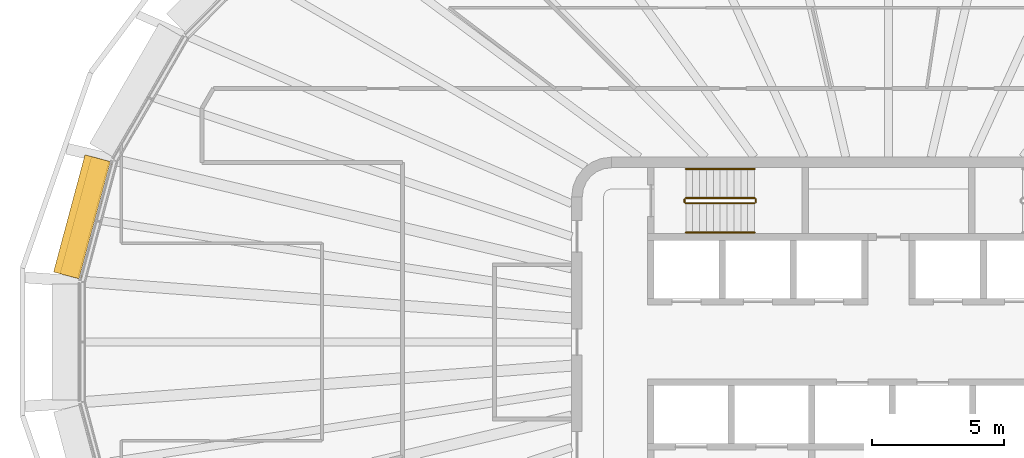
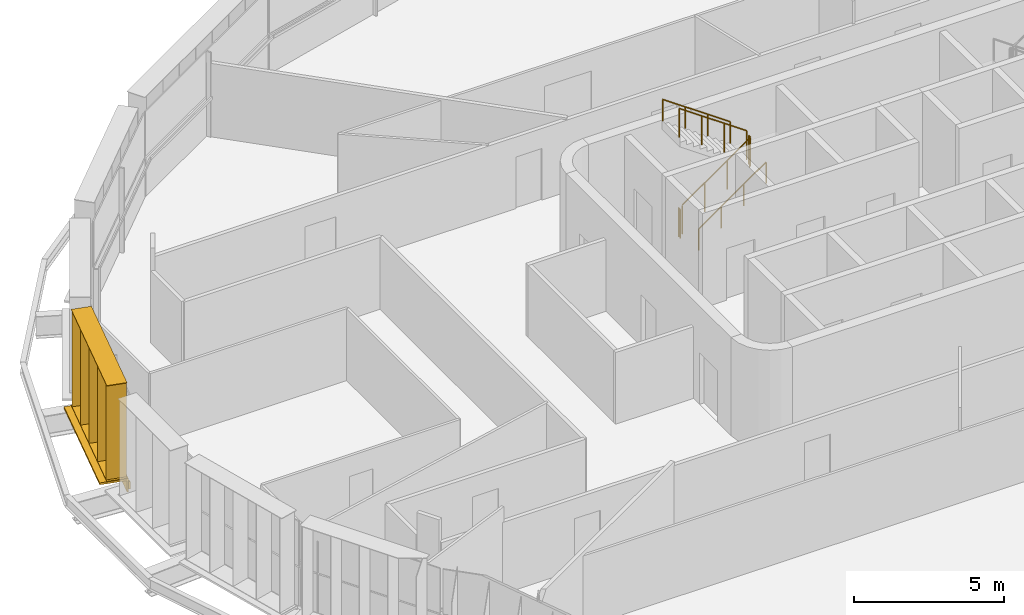
# One storey, part 17 of 20: 6 railings, 2 shading devices.
"""IFC4 building model written with IfcOpenShell, lengths in metres."""

from ifc_helpers import new_model, si_unit, direction, frame, origin, origin_2d, place, context, subcontext, project, spatial, rectangle, circle, extrude, material, type_object, element, save


model = new_model("IFC4")

# Units and contexts
model_context = context("Model", 3, precision=1e-05, world=origin(), true_north=direction((0.0, 1.0)))
body_context = subcontext(model_context, "Body", "Model", "MODEL_VIEW")
ifc_project = project(units=[si_unit("LENGTHUNIT", "METRE"), si_unit("AREAUNIT", "SQUARE_METRE"), si_unit("VOLUMEUNIT", "CUBIC_METRE"), si_unit("PLANEANGLEUNIT", "RADIAN"), si_unit("MASSUNIT", "GRAM", prefix="KILO")], contexts=[model_context])

# Site, building, storey
site_placement = place(None, origin())
site = spatial("IfcSite", under=ifc_project, at=site_placement, CompositionType="ELEMENT")
building_placement = place(site_placement, origin())
building = spatial("IfcBuilding", under=site, at=building_placement, Name="Sahrelin Media Tower", CompositionType="ELEMENT")
storey_placement = place(building_placement, frame((0.0, 0.0, 209.60009765625)))
storey = spatial("IfcBuildingStorey", under=building, at=storey_placement, Name="L44", CompositionType="ELEMENT", Elevation=209.60009765625)

# Shading device
ifc_material_1 = material(Name="Champagne anodised aluminium 6063-T6", Category="aluminium")
shading_device_type_1 = type_object("IfcShadingDeviceType", Name="Fin cassette", PredefinedType="USERDEFINED", material=ifc_material_1)
placement = place(storey_placement, frame((-30.045166015625, 4.606201171875, 0.0), z_axis=(0.0, 0.0, 1.0), x_axis=(0.258807731996, 0.965928857556, 0.0)))
element("IfcShadingDevice", 1, at=placement, inside=storey, type_object=shading_device_type_1, Name="L44:FIN:L44-11", ObjectType="FIN", PredefinedType="USERDEFINED", context=body_context, shape_type="SweptSolid", body=[
    extrude(rectangle(XDim=4.60009765625, YDim=0.699951171875, at=origin_2d()), frame((0.0, 0.419921875, 0.0)), (0.0, 0.0, 1.0), 0.02001953125),
    extrude(rectangle(XDim=4.60009765625, YDim=0.699951171875, at=origin_2d()), frame((0.0, 0.419921875, 3.89990234375)), (0.0, 0.0, 1.0), 0.02001953125),
    extrude(rectangle(XDim=0.02001953125, YDim=0.699951171875, at=origin_2d()), frame((-2.199951171875, 0.419921875, 0.010009765625), z_axis=(0.0, 0.0, 1.0), x_axis=(1.0, 0.0, 0.0)), (0.0, 0.0, 1.0), 3.89990234375),
    extrude(rectangle(XDim=0.02001953125, YDim=0.699951171875, at=origin_2d()), frame((-1.10009765625, 0.419921875, 0.010009765625), z_axis=(0.0, 0.0, 1.0), x_axis=(1.0, 0.0, 0.0)), (0.0, 0.0, 1.0), 3.89990234375),
    extrude(rectangle(XDim=0.02001953125, YDim=0.699951171875, at=origin_2d()), frame((0.0, 0.419921875, 0.010009765625), z_axis=(0.0, 0.0, 1.0), x_axis=(1.0, 0.0, 0.0)), (0.0, 0.0, 1.0), 3.89990234375),
    extrude(rectangle(XDim=0.02001953125, YDim=0.699951171875, at=origin_2d()), frame((1.10009765625, 0.419921875, 0.010009765625), z_axis=(0.0, 0.0, 1.0), x_axis=(1.0, 0.0, 0.0)), (0.0, 0.0, 1.0), 3.89990234375),
    extrude(rectangle(XDim=0.02001953125, YDim=0.699951171875, at=origin_2d()), frame((2.199951171875, 0.419921875, 0.010009765625), z_axis=(0.0, 0.0, 1.0), x_axis=(1.0, 0.0, 0.0)), (0.0, 0.0, 1.0), 3.89990234375),
])

# Railings
ifc_material_2 = material(Name="Steel S355", Category="steel")
railing_type_1 = type_object("IfcRailingType", Name="Stair guard 1200", PredefinedType="GUARDRAIL", material=ifc_material_2)
railing_1_placement = place(storey_placement, frame((-7.675048828125, 5.25, 0.181640625)))
element("IfcRailing", 2, at=railing_1_placement, inside=storey, type_object=railing_type_1, Name="L44 ST1 stair guard 1", PredefinedType="GUARDRAIL", context=body_context, shape_type="SweptSolid", body=[
    extrude(circle(Radius=0.02392578125, at=origin_2d()), frame((0.0, 0.0, 1.17578125), z_axis=(0.819484887739, 0.0, 0.573100792852), x_axis=(0.0, 1.0, 0.0)), (0.0, 0.0, 1.0), 3.1728515625),
    extrude(circle(Radius=0.02099609375, at=origin_2d()), origin(), (0.0, 0.0, 1.0), 1.15185546875),
    extrude(circle(Radius=0.02099609375, at=origin_2d()), frame((0.86669921875, 0.0, 0.606201171875)), (0.0, 0.0, 1.0), 1.15185546875),
    extrude(circle(Radius=0.02099609375, at=origin_2d()), frame((1.7333984375, 0.0, 1.212158203125)), (0.0, 0.0, 1.0), 1.15185546875),
    extrude(circle(Radius=0.02099609375, at=origin_2d()), frame((2.60009765625, 0.0, 1.818359375)), (0.0, 0.0, 1.0), 1.15185546875),
])
railing_2_placement = place(storey_placement, frame((-5.02490234375, 5.300048828125, 2.0)))
element("IfcRailing", 3, at=railing_2_placement, inside=storey, type_object=railing_type_1, Name="L44 ST1 stair guard 2", PredefinedType="GUARDRAIL", context=body_context, shape_type="SweptSolid", body=[
    extrude(circle(Radius=0.02392578125, at=origin_2d()), frame((0.0, 0.0, 1.17578125), z_axis=(0.0, 1.0, 0.0), x_axis=(-1.0, 0.0, 0.0)), (0.0, 0.0, 1.0), 0.099853515625),
    extrude(circle(Radius=0.02099609375, at=origin_2d()), origin(), (0.0, 0.0, 1.0), 1.15185546875),
    extrude(circle(Radius=0.02099609375, at=origin_2d()), frame((0.0, 0.099853515625, 0.0)), (0.0, 0.0, 1.0), 1.15185546875),
])
railing_3_placement = place(storey_placement, frame((-5.074951171875, 5.449951171875, 2.181640625)))
element("IfcRailing", 4, at=railing_3_placement, inside=storey, type_object=railing_type_1, Name="L44 ST1 stair guard 3", PredefinedType="GUARDRAIL", context=body_context, shape_type="SweptSolid", body=[
    extrude(circle(Radius=0.02392578125, at=origin_2d()), frame((0.0, 0.0, 1.17578125), z_axis=(-0.819484887739, 0.0, 0.573100792852), x_axis=(0.0, -1.0, 0.0)), (0.0, 0.0, 1.0), 3.1728515625),
    extrude(circle(Radius=0.02099609375, at=origin_2d()), origin(), (0.0, 0.0, 1.0), 1.15185546875),
    extrude(circle(Radius=0.02099609375, at=origin_2d()), frame((-0.86669921875, 0.0, 0.606201171875)), (0.0, 0.0, 1.0), 1.15185546875),
    extrude(circle(Radius=0.02099609375, at=origin_2d()), frame((-1.7333984375, 0.0, 1.212158203125)), (0.0, 0.0, 1.0), 1.15185546875),
    extrude(circle(Radius=0.02099609375, at=origin_2d()), frame((-2.60009765625, 0.0, 1.818359375)), (0.0, 0.0, 1.0), 1.15185546875),
])
railing_4_placement = place(storey_placement, frame((-7.72509765625, 5.300048828125, 0.0)))
element("IfcRailing", 5, at=railing_4_placement, inside=storey, type_object=railing_type_1, Name="L44 ST1 stair guard 4", PredefinedType="GUARDRAIL", context=body_context, shape_type="SweptSolid", body=[
    extrude(circle(Radius=0.02392578125, at=origin_2d()), frame((0.0, 0.0, 1.17578125), z_axis=(0.0, 1.0, 0.0), x_axis=(-1.0, 0.0, 0.0)), (0.0, 0.0, 1.0), 0.099853515625),
    extrude(circle(Radius=0.02099609375, at=origin_2d()), origin(), (0.0, 0.0, 1.0), 1.15185546875),
    extrude(circle(Radius=0.02099609375, at=origin_2d()), frame((0.0, 0.099853515625, 0.0)), (0.0, 0.0, 1.0), 1.15185546875),
])
railing_type_2 = type_object("IfcRailingType", Name="Stair handrail 900", PredefinedType="HANDRAIL", material=ifc_material_2)
railing_5_placement = place(storey_placement, frame((-7.675048828125, 4.14990234375, 0.181640625)))
element("IfcRailing", 6, at=railing_5_placement, inside=storey, type_object=railing_type_2, Name="L44 ST1 stair handrail 1", PredefinedType="HANDRAIL", context=body_context, shape_type="SweptSolid", body=[
    extrude(circle(Radius=0.02392578125, at=origin_2d()), frame((0.0, 0.0, 0.8759765625), z_axis=(0.819484887739, 0.0, 0.573100792852), x_axis=(0.0, 1.0, 0.0)), (0.0, 0.0, 1.0), 3.1728515625),
    extrude(circle(Radius=0.02099609375, at=origin_2d()), origin(), (0.0, 0.0, 1.0), 0.851806640625),
    extrude(circle(Radius=0.02099609375, at=origin_2d()), frame((0.86669921875, 0.0, 0.606201171875)), (0.0, 0.0, 1.0), 0.851806640625),
    extrude(circle(Radius=0.02099609375, at=origin_2d()), frame((1.7333984375, 0.0, 1.212158203125)), (0.0, 0.0, 1.0), 0.851806640625),
    extrude(circle(Radius=0.02099609375, at=origin_2d()), frame((2.60009765625, 0.0, 1.818359375)), (0.0, 0.0, 1.0), 0.851806640625),
])
railing_6_placement = place(storey_placement, frame((-5.074951171875, 6.550048828125, 2.181640625)))
element("IfcRailing", 7, at=railing_6_placement, inside=storey, type_object=railing_type_2, Name="L44 ST1 stair handrail 2", PredefinedType="HANDRAIL", context=body_context, shape_type="SweptSolid", body=[
    extrude(circle(Radius=0.02392578125, at=origin_2d()), frame((0.0, 0.0, 0.8759765625), z_axis=(-0.819484887739, 0.0, 0.573100792852), x_axis=(0.0, -1.0, 0.0)), (0.0, 0.0, 1.0), 3.1728515625),
    extrude(circle(Radius=0.02099609375, at=origin_2d()), origin(), (0.0, 0.0, 1.0), 0.851806640625),
    extrude(circle(Radius=0.02099609375, at=origin_2d()), frame((-0.86669921875, 0.0, 0.606201171875)), (0.0, 0.0, 1.0), 0.851806640625),
    extrude(circle(Radius=0.02099609375, at=origin_2d()), frame((-1.7333984375, 0.0, 1.212158203125)), (0.0, 0.0, 1.0), 0.851806640625),
    extrude(circle(Radius=0.02099609375, at=origin_2d()), frame((-2.60009765625, 0.0, 1.818359375)), (0.0, 0.0, 1.0), 0.851806640625),
])

# Shading device
shading_device_type_2 = type_object("IfcShadingDeviceType", Name="Sunshade band", PredefinedType="USERDEFINED", material=ifc_material_1)
element("IfcShadingDevice", 8, at=placement, inside=storey, type_object=shading_device_type_2, Name="L44:SUN:L44-11", ObjectType="SUNSHADE", PredefinedType="USERDEFINED", context=body_context, shape_type="SweptSolid", body=[
    extrude(rectangle(XDim=4.5927734375, YDim=0.050048828125, at=origin_2d()), frame((0.0, 0.044921875, -0.55126953125)), (0.0, 0.0, 1.0), 0.471435546875),
    extrude(rectangle(XDim=4.5927734375, YDim=1.0, at=origin_2d()), frame((0.0, 0.52001953125, -0.080078125)), (0.0, 0.0, 1.0), 0.080078125),
    extrude(rectangle(XDim=0.10009765625, YDim=0.074951171875, at=origin_2d()), frame((-2.1962890625, -0.017578125, -0.47021484375)), (0.0, 0.0, 1.0), 0.300048828125),
    extrude(rectangle(XDim=0.10009765625, YDim=0.074951171875, at=origin_2d()), frame((-0.732177734375, -0.017578125, -0.47021484375)), (0.0, 0.0, 1.0), 0.300048828125),
    extrude(rectangle(XDim=0.10009765625, YDim=0.074951171875, at=origin_2d()), frame((0.732177734375, -0.017578125, -0.47021484375)), (0.0, 0.0, 1.0), 0.300048828125),
    extrude(rectangle(XDim=0.10009765625, YDim=0.074951171875, at=origin_2d()), frame((2.1962890625, -0.017578125, -0.47021484375)), (0.0, 0.0, 1.0), 0.300048828125),
])

save(model, "model.ifc")
